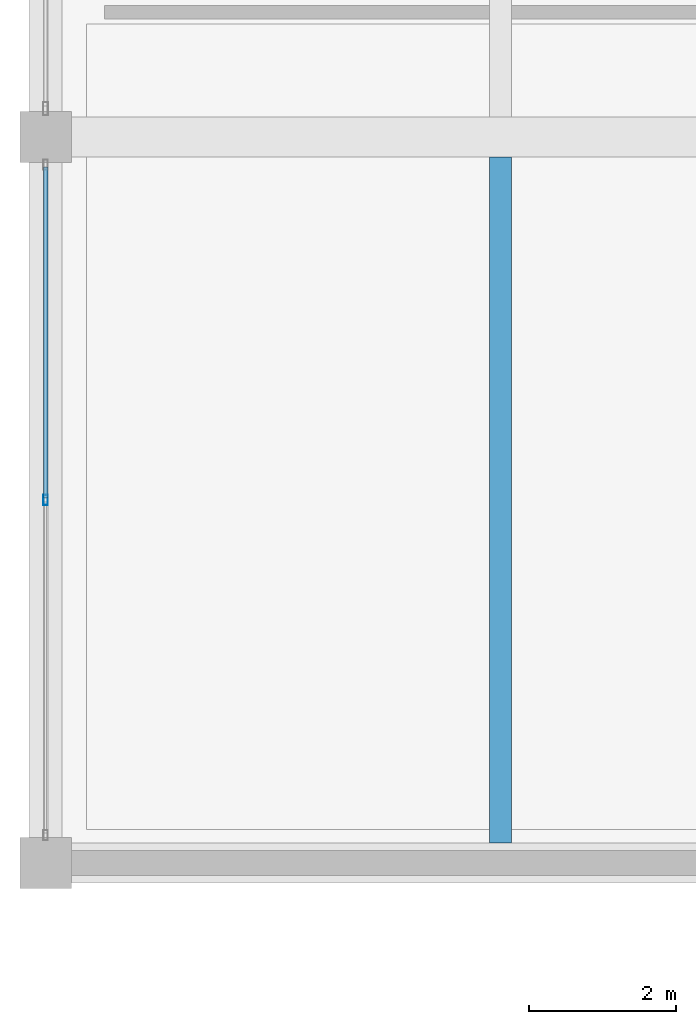
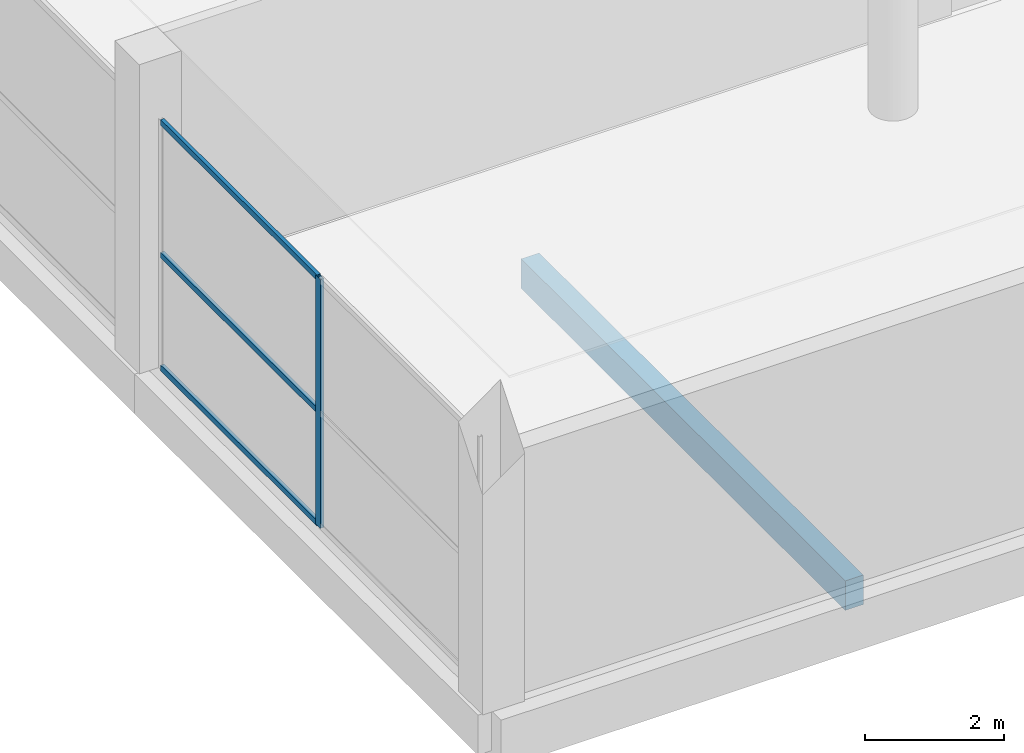
# One storey, part 14 of 72: 4 members, 1 beam, 1 element without a shape of its own.
"""IFC4 building model written with IfcOpenShell, lengths in metres."""

import ifcopenshell
import ifcopenshell.guid

model = None  # the IFC model being written
_history = None  # IfcOwnerHistory: only IFC2X3 demands one
_inside = {}  # id of a spatial element -> (the spatial element, [elements in it])
_under = {}  # id of a project, library or spatial element -> (it, [spatial elements below it])
_declared = {}  # id of a project -> (the project, [libraries it declares])
_typed = {}  # id of a type object -> (the type object, [elements of that type])
_made_of = {}  # id of a material, layer set ... -> (it, [elements and type objects made of it])


def new_model(schema):
    """Start an empty IFC model of exactly this schema.

    Asked for "IFC4X3", IfcOpenShell would pick the latest addendum, in which some entities
    have other attributes; the version numbers below select the first issue.
    IFC2X3 requires an IfcOwnerHistory on every rooted entity: one is made here for all.
    """
    global model, _history
    if schema == "IFC4X3":
        model = ifcopenshell.file(schema_version=(4, 3, 0, 0))
    else:
        model = ifcopenshell.file(schema=schema)
    _inside.clear()
    _under.clear()
    _declared.clear()
    _typed.clear()
    _made_of.clear()
    _history = None
    if model.schema == "IFC2X3":
        org = make("IfcOrganization", Name="unknown")
        user = make(
            "IfcPersonAndOrganization",
            ThePerson=make("IfcPerson", FamilyName="unknown"),
            TheOrganization=org,
        )
        app = make(
            "IfcApplication",
            ApplicationDeveloper=org,
            Version="unknown",
            ApplicationFullName="unknown",
            ApplicationIdentifier="unknown",
        )
        _history = make(
            "IfcOwnerHistory",
            OwningUser=user,
            OwningApplication=app,
            ChangeAction="ADDED",
            CreationDate=0,
        )
    return model


def make(cls, **values):
    """One entity of the class cls with the attributes given. An attribute that is None is left unset."""
    return model.create_entity(
        cls, **{name: value for name, value in values.items() if value is not None}
    )


def rooted(cls, **values):
    """An entity with a GlobalId (a new one), such as an element, a storey or a relation."""
    return make(cls, GlobalId=ifcopenshell.guid.new(), OwnerHistory=_history, **values)


def si_unit(unit_type, name, prefix=None):
    """IfcSIUnit, for example si_unit("LENGTHUNIT", "METRE", prefix="MILLI")."""
    return make("IfcSIUnit", UnitType=unit_type, Prefix=prefix, Name=name)


def assignment(units):
    """IfcUnitAssignment: the units of a project."""
    return None if units is None else make("IfcUnitAssignment", Units=units)


def point(xyz):
    """IfcCartesianPoint."""
    return None if xyz is None else make("IfcCartesianPoint", Coordinates=xyz)


def direction(xyz):
    """IfcDirection."""
    return None if xyz is None else make("IfcDirection", DirectionRatios=xyz)


def frame(location, z_axis=None, x_axis=None):
    """IfcAxis2Placement3D, a coordinate frame: its origin and axes. An axis left out is left unset."""
    return make(
        "IfcAxis2Placement3D",
        Location=point(location),
        Axis=direction(z_axis),
        RefDirection=direction(x_axis),
    )


def frame_2d(location, x_axis=None):
    """IfcAxis2Placement2D, a coordinate frame in the plane: its origin and x axis."""
    return make(
        "IfcAxis2Placement2D", Location=point(location), RefDirection=direction(x_axis)
    )


def origin():
    """The frame at (0, 0, 0) with its axes left unset."""
    return frame((0.0, 0.0, 0.0))


def origin_2d():
    """The frame at (0, 0) in the plane with its x axis left unset."""
    return frame_2d((0.0, 0.0))


def place(relative_to, where):
    """IfcLocalPlacement: puts the frame where relative to a parent placement (None: the world)."""
    return make(
        "IfcLocalPlacement", PlacementRelTo=relative_to, RelativePlacement=where
    )


def context(
    kind, dimensions, precision=None, world=None, true_north=None, identifier=None
):
    """IfcGeometricRepresentationContext, for example the 3D "Model" context."""
    return make(
        "IfcGeometricRepresentationContext",
        ContextIdentifier=identifier,
        ContextType=kind,
        CoordinateSpaceDimension=dimensions,
        Precision=precision,
        WorldCoordinateSystem=world,
        TrueNorth=true_north,
    )


def subcontext(parent, identifier, kind, view, scale=None):
    """IfcGeometricRepresentationSubContext, for example "Body" below "Model"."""
    return make(
        "IfcGeometricRepresentationSubContext",
        ContextIdentifier=identifier,
        ContextType=kind,
        ParentContext=parent,
        TargetScale=scale,
        TargetView=view,
    )


def project(units=None, contexts=None):
    """IfcProject with its units and contexts."""
    return rooted(
        "IfcProject",
        Name="project",
        RepresentationContexts=contexts,
        UnitsInContext=assignment(units),
    )


def spatial(cls, under=None, at=None, **own):
    """A site, building, storey or space (cls), placed at a placement, below another one or the project."""
    s = rooted(cls, ObjectPlacement=at, **own)
    if under is not None:
        _under.setdefault(under.id(), (under, []))[1].append(s)
    return s


def profile(cls, at=None, kind="AREA", **sizes):
    """A parametric profile (cls). Its sizes go by their IFC names, for example OverallWidth=200.0."""
    return make(cls, ProfileType=kind, Position=at, **sizes)


def rectangle(**sizes):
    """IfcRectangleProfileDef."""
    return profile("IfcRectangleProfileDef", **sizes)


def hollow_rectangle(**sizes):
    """IfcRectangleHollowProfileDef."""
    return profile("IfcRectangleHollowProfileDef", **sizes)


def extrude(swept, where, along, depth):
    """IfcExtrudedAreaSolid: the profile swept, set in the frame where, extruded along a direction by depth."""
    return make(
        "IfcExtrudedAreaSolid",
        SweptArea=swept,
        Position=where,
        ExtrudedDirection=direction(along),
        Depth=depth,
    )


def shape(context_of_items, identifier, shape_type, items):
    """IfcShapeRepresentation: the items that make up one representation, for example the "Body"."""
    return make(
        "IfcShapeRepresentation",
        ContextOfItems=context_of_items,
        RepresentationIdentifier=identifier,
        RepresentationType=shape_type,
        Items=items,
    )


def material(Name=None, Category=None):
    """IfcMaterial."""
    return make("IfcMaterial", Name=Name, Category=Category)


def layer(
    of_material, thickness, ventilated=None, Name=None, Category=None, Priority=None
):
    """IfcMaterialLayer: one layer of a wall or slab, of a material (None: an air gap)."""
    return make(
        "IfcMaterialLayer",
        Material=of_material,
        LayerThickness=thickness,
        IsVentilated=ventilated,
        Name=Name,
        Category=Category,
        Priority=Priority,
    )


def layer_set(layers, Name=None):
    """IfcMaterialLayerSet."""
    return make("IfcMaterialLayerSet", MaterialLayers=layers, LayerSetName=Name)


def material_profile(
    of_material, cross_section, Name=None, Category=None, Priority=None
):
    """IfcMaterialProfile: a cross section and its material."""
    return make(
        "IfcMaterialProfile",
        Name=Name,
        Material=of_material,
        Profile=cross_section,
        Priority=Priority,
        Category=Category,
    )


def profile_set(profiles, Name=None, composite=None):
    """IfcMaterialProfileSet."""
    return make(
        "IfcMaterialProfileSet",
        Name=Name,
        MaterialProfiles=profiles,
        CompositeProfile=composite,
    )


def made_of(thing, what):
    """Note that an element or type object is made of a material, layer set ...; save() writes the relation."""
    if what is not None:
        _made_of.setdefault(what.id(), (what, []))[1].append(thing)
    return thing


def type_object(cls, material=None, **own):
    """A type object (cls), such as IfcWallType, which elements share."""
    return made_of(rooted(cls, **own), material)


def element(
    cls,
    number,
    at=None,
    inside=None,
    cuts=None,
    type_object=None,
    material=None,
    context=None,
    identifier="Body",
    shape_type=None,
    held_by="IfcProductDefinitionShape",
    body=None,
    shapes=None,
    **own,
):
    """One element of the class cls, such as IfcWall. Its Tag is "e" and its number.

    at: its placement. inside: the storey or other place that contains it. cuts: it is an
    opening in that element (IfcRelVoidsElement). A single representation is given by context,
    identifier, shape_type and body (its items); several are given by shapes. held_by: the class
    of the entity that holds the representations. save() writes the other relations.
    """
    e = rooted(cls, Tag="e%d" % number, ObjectPlacement=at, **own)
    if body is not None:
        shapes = [shape(context, identifier, shape_type, body)]
    if shapes is not None:
        e.Representation = make(held_by, Representations=shapes)
    if inside is not None:
        _inside.setdefault(inside.id(), (inside, []))[1].append(e)
    if cuts is not None:
        rooted(
            "IfcRelVoidsElement", RelatingBuildingElement=cuts, RelatedOpeningElement=e
        )
    if type_object is not None:
        _typed.setdefault(type_object.id(), (type_object, []))[1].append(e)
    return made_of(e, material)


def aggregate(whole, parts):
    """IfcRelAggregates: a whole, such as a stair, and the parts it consists of."""
    return rooted("IfcRelAggregates", RelatingObject=whole, RelatedObjects=parts)


def save(model, path):
    """Write the relations noted so far, then the file.

    IfcRelAggregates (storeys below a building ...), IfcRelContainedInSpatialStructure (elements
    in a storey), IfcRelDefinesByType, IfcRelAssociatesMaterial and IfcRelDeclares: one each for
    every whole, place, type object, material and project.
    """
    for whole, parts in _under.values():
        aggregate(whole, parts)
    for where, things in _inside.values():
        rooted(
            "IfcRelContainedInSpatialStructure",
            RelatedElements=things,
            RelatingStructure=where,
        )
    for kind, things in _typed.values():
        rooted("IfcRelDefinesByType", RelatedObjects=things, RelatingType=kind)
    for what, things in _made_of.values():
        rooted("IfcRelAssociatesMaterial", RelatedObjects=things, RelatingMaterial=what)
    for by, libraries in _declared.values():
        rooted("IfcRelDeclares", RelatingContext=by, RelatedDefinitions=libraries)
    model.write(path)


model = new_model("IFC4")

# Units and contexts
model_context = context("Model", 3, precision=1e-05, world=origin(), true_north=direction((0.0, 1.0)))
body_context = subcontext(model_context, "Body", "Model", "MODEL_VIEW")
ifc_project = project(units=[si_unit("LENGTHUNIT", "METRE"), si_unit("AREAUNIT", "SQUARE_METRE"), si_unit("VOLUMEUNIT", "CUBIC_METRE"), si_unit("PLANEANGLEUNIT", "RADIAN"), si_unit("MASSUNIT", "GRAM", prefix="KILO")], contexts=[model_context])

# Site, building, storey
site_placement = place(None, origin())
site = spatial("IfcSite", under=ifc_project, at=site_placement, CompositionType="ELEMENT")
building_placement = place(site_placement, origin())
building = spatial("IfcBuilding", under=site, at=building_placement, Name="Sillaruma Civic Art Gallery", CompositionType="ELEMENT")
storey_placement = place(building_placement, frame((0.0, 0.0, 10.8798828125)))
storey = spatial("IfcBuildingStorey", under=building, at=storey_placement, Name="L02", CompositionType="ELEMENT", Elevation=10.8798828125)

# Beam
ifc_material_1 = material(Name="Concrete H35 (35 MPa)", Category="concrete")
ifc_material_profile_1 = material_profile(ifc_material_1, rectangle(XDim=0.300048828125, YDim=0.52001953125, at=origin_2d()), Name="RCB300x520")
ifc_profile_set_1 = profile_set([ifc_material_profile_1], Name="Concrete H35 (35 MPa)")
beam_type = type_object("IfcBeamType", Name="BM-JOIST-RCB300x520", PredefinedType="JOIST", material=ifc_profile_set_1)
beam_placement = place(storey_placement, frame((6.199951171875, 79.47509765625, -0.519775390625), z_axis=(0.0, 1.0, 0.0), x_axis=(-1.0, 0.0, 0.0)))
element("IfcBeam", 1, at=beam_placement, inside=storey, type_object=beam_type, Name="Floor Joist JR-01 (L01:AB:9-10)", PredefinedType="JOIST", context=body_context, shape_type="SweptSolid", body=[
    extrude(rectangle(XDim=0.300048828125, YDim=0.52001953125, at=origin_2d()), origin(), (0.0, 0.0, 1.0), 9.349853515625),
])

# Curtain wall, members
ifc_material_2 = material(Name="Thermally Broken Extruded Aluminium 6063-T6", Category="aluminium")
ifc_layer = layer(ifc_material_2, 0.139892578125, Name="Thermally Broken Extruded Aluminium 6063-T6")
ifc_layer_set = layer_set([ifc_layer], Name="Thermally Broken Extruded Aluminium 6063-T6")
curtain_wall_type = type_object("IfcCurtainWallType", Name="CW-UNI-08", PredefinedType="NOTDEFINED", material=ifc_layer_set)
curtain_wall_placement = place(storey_placement, origin())
curtain_wall = element("IfcCurtainWall", 2, at=curtain_wall_placement, inside=storey, type_object=curtain_wall_type, Name="Unitised Curtain Wall CW-08 (CW-L02-WSTR-1)", PredefinedType="NOTDEFINED")
ifc_material_profile_2 = material_profile(ifc_material_2, hollow_rectangle(XDim=0.06005859375, YDim=0.139892578125, WallThickness=0.00341796875, at=origin_2d()), Name="CWM60x140")
ifc_profile_set_2 = profile_set([ifc_material_profile_2], Name="Thermally Broken Extruded Aluminium 6063-T6")
member_type_1 = type_object("IfcMemberType", Name="MEM-MUL-CWM60x140", PredefinedType="MULLION", material=ifc_profile_set_2)
member_1_placement = place(storey_placement, frame((0.0, 84.14990234375, 0.0), z_axis=(0.0, 0.0, 1.0), x_axis=(-1.0, 0.0, 0.0)))
member_1 = element("IfcMember", 3, at=member_1_placement, type_object=member_type_1, Name="CW-08 mullion 2", PredefinedType="MULLION", context=body_context, shape_type="SweptSolid", body=[
    extrude(hollow_rectangle(XDim=0.06005859375, YDim=0.139892578125, WallThickness=0.00341796875, at=origin_2d()), origin(), (0.0, 0.0, 1.0), 4.380126953125),
])
ifc_material_profile_3 = material_profile(ifc_material_2, hollow_rectangle(XDim=0.06005859375, YDim=0.10009765625, WallThickness=0.003173828125, at=origin_2d()), Name="CWT60x100")
ifc_profile_set_3 = profile_set([ifc_material_profile_3], Name="Thermally Broken Extruded Aluminium 6063-T6")
member_type_2 = type_object("IfcMemberType", Name="MEM-TRN-CWT60x100", PredefinedType="USERDEFINED", material=ifc_profile_set_3)
member_2_placement = place(storey_placement, frame((0.0, 84.179931640625, 0.030029296875), z_axis=(0.0, 1.0, 0.0), x_axis=(-1.0, 0.0, 0.0)))
member_2 = element("IfcMember", 4, at=member_2_placement, type_object=member_type_2, Name="CW-08 transom 2.1", ObjectType="TRANSOM", PredefinedType="USERDEFINED", context=body_context, shape_type="SweptSolid", body=[
    extrude(hollow_rectangle(XDim=0.06005859375, YDim=0.10009765625, WallThickness=0.003173828125, at=origin_2d()), origin(), (0.0, 0.0, 1.0), 4.510009765625),
])
member_3_placement = place(storey_placement, frame((0.0, 84.179931640625, 2.014892578125), z_axis=(0.0, 1.0, 0.0), x_axis=(-1.0, 0.0, 0.0)))
member_3 = element("IfcMember", 5, at=member_3_placement, type_object=member_type_2, Name="CW-08 transom 2.2", ObjectType="TRANSOM", PredefinedType="USERDEFINED", context=body_context, shape_type="SweptSolid", body=[
    extrude(hollow_rectangle(XDim=0.06005859375, YDim=0.10009765625, WallThickness=0.003173828125, at=origin_2d()), origin(), (0.0, 0.0, 1.0), 4.510009765625),
])
member_4_placement = place(storey_placement, frame((0.0, 84.179931640625, 4.35009765625), z_axis=(0.0, 1.0, 0.0), x_axis=(-1.0, 0.0, 0.0)))
member_4 = element("IfcMember", 6, at=member_4_placement, type_object=member_type_2, Name="CW-08 transom 2.3", ObjectType="TRANSOM", PredefinedType="USERDEFINED", context=body_context, shape_type="SweptSolid", body=[
    extrude(hollow_rectangle(XDim=0.06005859375, YDim=0.10009765625, WallThickness=0.003173828125, at=origin_2d()), origin(), (0.0, 0.0, 1.0), 4.510009765625),
])
aggregate(curtain_wall, [member_1, member_2, member_3, member_4])

save(model, "model.ifc")
